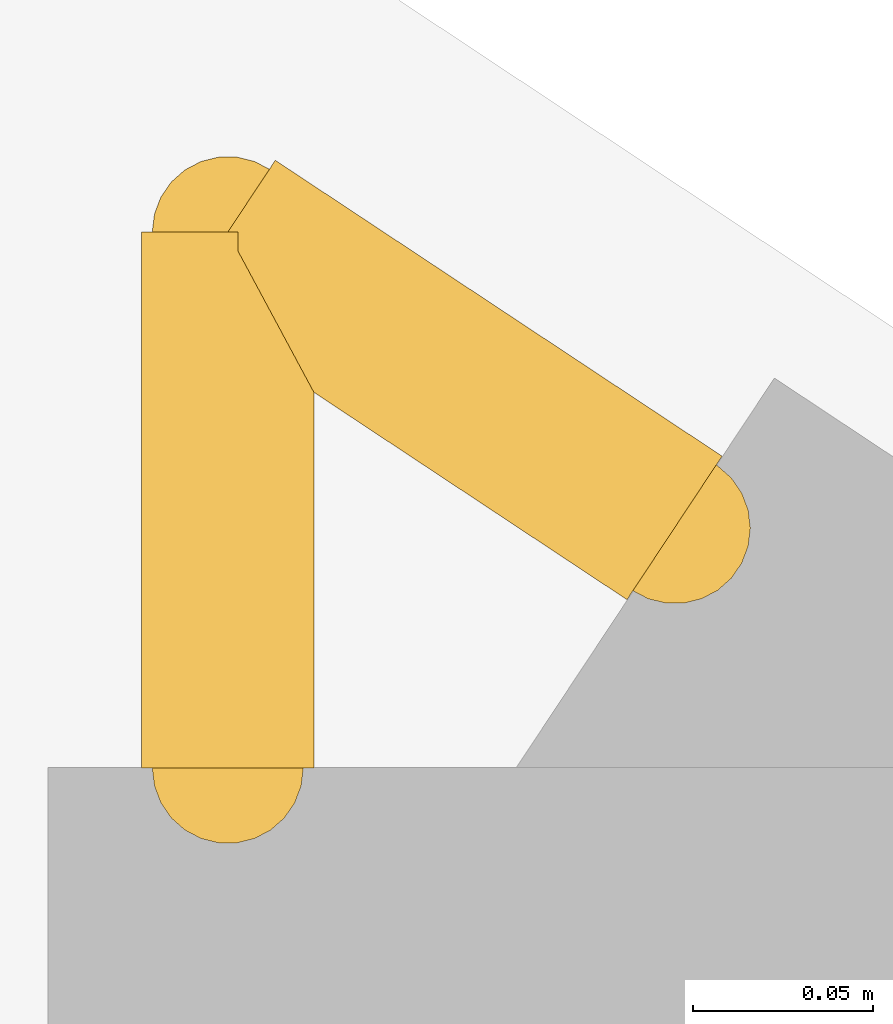
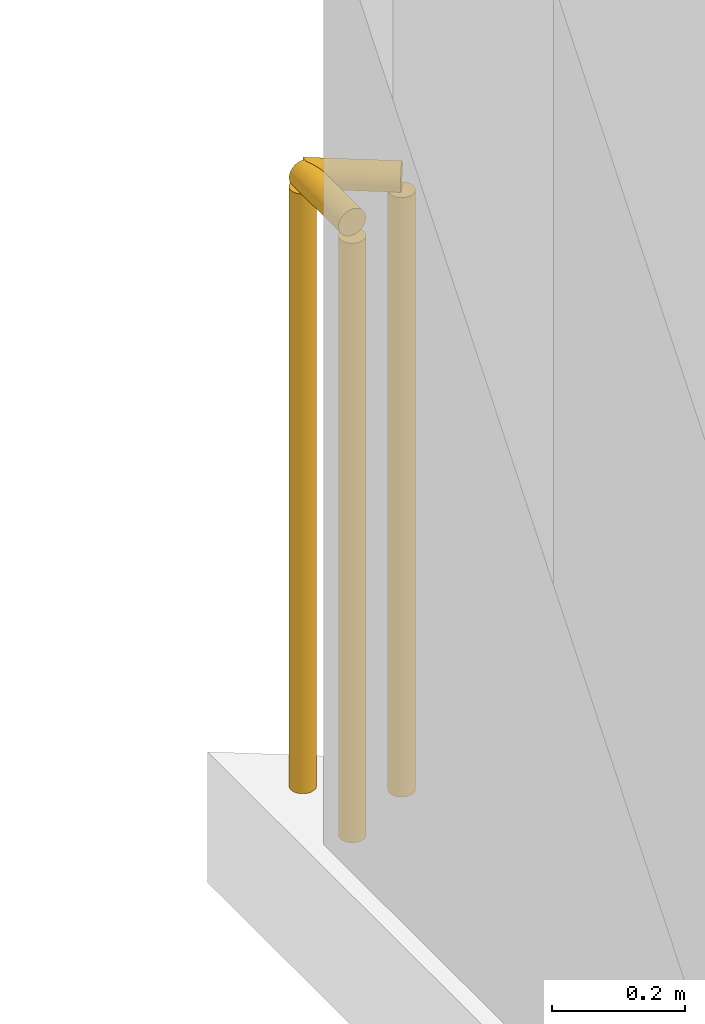
# One storey, part 17 of 18: 2 railings.
"""IFC4 building model written with IfcOpenShell, lengths in metres."""

import ifcopenshell
import ifcopenshell.guid

model = None  # the IFC model being written
_history = None  # IfcOwnerHistory: only IFC2X3 demands one
_inside = {}  # id of a spatial element -> (the spatial element, [elements in it])
_under = {}  # id of a project, library or spatial element -> (it, [spatial elements below it])
_declared = {}  # id of a project -> (the project, [libraries it declares])
_typed = {}  # id of a type object -> (the type object, [elements of that type])
_made_of = {}  # id of a material, layer set ... -> (it, [elements and type objects made of it])


def new_model(schema):
    """Start an empty IFC model of exactly this schema.

    Asked for "IFC4X3", IfcOpenShell would pick the latest addendum, in which some entities
    have other attributes; the version numbers below select the first issue.
    IFC2X3 requires an IfcOwnerHistory on every rooted entity: one is made here for all.
    """
    global model, _history
    if schema == "IFC4X3":
        model = ifcopenshell.file(schema_version=(4, 3, 0, 0))
    else:
        model = ifcopenshell.file(schema=schema)
    _inside.clear()
    _under.clear()
    _declared.clear()
    _typed.clear()
    _made_of.clear()
    _history = None
    if model.schema == "IFC2X3":
        org = make("IfcOrganization", Name="unknown")
        user = make(
            "IfcPersonAndOrganization",
            ThePerson=make("IfcPerson", FamilyName="unknown"),
            TheOrganization=org,
        )
        app = make(
            "IfcApplication",
            ApplicationDeveloper=org,
            Version="unknown",
            ApplicationFullName="unknown",
            ApplicationIdentifier="unknown",
        )
        _history = make(
            "IfcOwnerHistory",
            OwningUser=user,
            OwningApplication=app,
            ChangeAction="ADDED",
            CreationDate=0,
        )
    return model


def make(cls, **values):
    """One entity of the class cls with the attributes given. An attribute that is None is left unset."""
    return model.create_entity(
        cls, **{name: value for name, value in values.items() if value is not None}
    )


def rooted(cls, **values):
    """An entity with a GlobalId (a new one), such as an element, a storey or a relation."""
    return make(cls, GlobalId=ifcopenshell.guid.new(), OwnerHistory=_history, **values)


def si_unit(unit_type, name, prefix=None):
    """IfcSIUnit, for example si_unit("LENGTHUNIT", "METRE", prefix="MILLI")."""
    return make("IfcSIUnit", UnitType=unit_type, Prefix=prefix, Name=name)


def assignment(units):
    """IfcUnitAssignment: the units of a project."""
    return None if units is None else make("IfcUnitAssignment", Units=units)


def point(xyz):
    """IfcCartesianPoint."""
    return None if xyz is None else make("IfcCartesianPoint", Coordinates=xyz)


def direction(xyz):
    """IfcDirection."""
    return None if xyz is None else make("IfcDirection", DirectionRatios=xyz)


def frame(location, z_axis=None, x_axis=None):
    """IfcAxis2Placement3D, a coordinate frame: its origin and axes. An axis left out is left unset."""
    return make(
        "IfcAxis2Placement3D",
        Location=point(location),
        Axis=direction(z_axis),
        RefDirection=direction(x_axis),
    )


def frame_2d(location, x_axis=None):
    """IfcAxis2Placement2D, a coordinate frame in the plane: its origin and x axis."""
    return make(
        "IfcAxis2Placement2D", Location=point(location), RefDirection=direction(x_axis)
    )


def origin():
    """The frame at (0, 0, 0) with its axes left unset."""
    return frame((0.0, 0.0, 0.0))


def origin_2d():
    """The frame at (0, 0) in the plane with its x axis left unset."""
    return frame_2d((0.0, 0.0))


def place(relative_to, where):
    """IfcLocalPlacement: puts the frame where relative to a parent placement (None: the world)."""
    return make(
        "IfcLocalPlacement", PlacementRelTo=relative_to, RelativePlacement=where
    )


def context(
    kind, dimensions, precision=None, world=None, true_north=None, identifier=None
):
    """IfcGeometricRepresentationContext, for example the 3D "Model" context."""
    return make(
        "IfcGeometricRepresentationContext",
        ContextIdentifier=identifier,
        ContextType=kind,
        CoordinateSpaceDimension=dimensions,
        Precision=precision,
        WorldCoordinateSystem=world,
        TrueNorth=true_north,
    )


def subcontext(parent, identifier, kind, view, scale=None):
    """IfcGeometricRepresentationSubContext, for example "Body" below "Model"."""
    return make(
        "IfcGeometricRepresentationSubContext",
        ContextIdentifier=identifier,
        ContextType=kind,
        ParentContext=parent,
        TargetScale=scale,
        TargetView=view,
    )


def project(units=None, contexts=None):
    """IfcProject with its units and contexts."""
    return rooted(
        "IfcProject",
        Name="project",
        RepresentationContexts=contexts,
        UnitsInContext=assignment(units),
    )


def spatial(cls, under=None, at=None, **own):
    """A site, building, storey or space (cls), placed at a placement, below another one or the project."""
    s = rooted(cls, ObjectPlacement=at, **own)
    if under is not None:
        _under.setdefault(under.id(), (under, []))[1].append(s)
    return s


def profile(cls, at=None, kind="AREA", **sizes):
    """A parametric profile (cls). Its sizes go by their IFC names, for example OverallWidth=200.0."""
    return make(cls, ProfileType=kind, Position=at, **sizes)


def circle(**sizes):
    """IfcCircleProfileDef."""
    return profile("IfcCircleProfileDef", **sizes)


def extrude(swept, where, along, depth):
    """IfcExtrudedAreaSolid: the profile swept, set in the frame where, extruded along a direction by depth."""
    return make(
        "IfcExtrudedAreaSolid",
        SweptArea=swept,
        Position=where,
        ExtrudedDirection=direction(along),
        Depth=depth,
    )


def shape(context_of_items, identifier, shape_type, items):
    """IfcShapeRepresentation: the items that make up one representation, for example the "Body"."""
    return make(
        "IfcShapeRepresentation",
        ContextOfItems=context_of_items,
        RepresentationIdentifier=identifier,
        RepresentationType=shape_type,
        Items=items,
    )


def material(Name=None, Category=None):
    """IfcMaterial."""
    return make("IfcMaterial", Name=Name, Category=Category)


def made_of(thing, what):
    """Note that an element or type object is made of a material, layer set ...; save() writes the relation."""
    if what is not None:
        _made_of.setdefault(what.id(), (what, []))[1].append(thing)
    return thing


def type_object(cls, material=None, **own):
    """A type object (cls), such as IfcWallType, which elements share."""
    return made_of(rooted(cls, **own), material)


def element(
    cls,
    number,
    at=None,
    inside=None,
    cuts=None,
    type_object=None,
    material=None,
    context=None,
    identifier="Body",
    shape_type=None,
    held_by="IfcProductDefinitionShape",
    body=None,
    shapes=None,
    **own,
):
    """One element of the class cls, such as IfcWall. Its Tag is "e" and its number.

    at: its placement. inside: the storey or other place that contains it. cuts: it is an
    opening in that element (IfcRelVoidsElement). A single representation is given by context,
    identifier, shape_type and body (its items); several are given by shapes. held_by: the class
    of the entity that holds the representations. save() writes the other relations.
    """
    e = rooted(cls, Tag="e%d" % number, ObjectPlacement=at, **own)
    if body is not None:
        shapes = [shape(context, identifier, shape_type, body)]
    if shapes is not None:
        e.Representation = make(held_by, Representations=shapes)
    if inside is not None:
        _inside.setdefault(inside.id(), (inside, []))[1].append(e)
    if cuts is not None:
        rooted(
            "IfcRelVoidsElement", RelatingBuildingElement=cuts, RelatedOpeningElement=e
        )
    if type_object is not None:
        _typed.setdefault(type_object.id(), (type_object, []))[1].append(e)
    return made_of(e, material)


def aggregate(whole, parts):
    """IfcRelAggregates: a whole, such as a stair, and the parts it consists of."""
    return rooted("IfcRelAggregates", RelatingObject=whole, RelatedObjects=parts)


def save(model, path):
    """Write the relations noted so far, then the file.

    IfcRelAggregates (storeys below a building ...), IfcRelContainedInSpatialStructure (elements
    in a storey), IfcRelDefinesByType, IfcRelAssociatesMaterial and IfcRelDeclares: one each for
    every whole, place, type object, material and project.
    """
    for whole, parts in _under.values():
        aggregate(whole, parts)
    for where, things in _inside.values():
        rooted(
            "IfcRelContainedInSpatialStructure",
            RelatedElements=things,
            RelatingStructure=where,
        )
    for kind, things in _typed.values():
        rooted("IfcRelDefinesByType", RelatedObjects=things, RelatingType=kind)
    for what, things in _made_of.values():
        rooted("IfcRelAssociatesMaterial", RelatedObjects=things, RelatingMaterial=what)
    for by, libraries in _declared.values():
        rooted("IfcRelDeclares", RelatingContext=by, RelatedDefinitions=libraries)
    model.write(path)


model = new_model("IFC4")

# Units and contexts
model_context = context("Model", 3, precision=1e-05, world=origin(), true_north=direction((0.0, 1.0)))
body_context = subcontext(model_context, "Body", "Model", "MODEL_VIEW")
ifc_project = project(units=[si_unit("LENGTHUNIT", "METRE"), si_unit("AREAUNIT", "SQUARE_METRE"), si_unit("VOLUMEUNIT", "CUBIC_METRE"), si_unit("PLANEANGLEUNIT", "RADIAN"), si_unit("MASSUNIT", "GRAM", prefix="KILO")], contexts=[model_context])

# Site, building, storey
site_placement = place(None, origin())
site = spatial("IfcSite", under=ifc_project, at=site_placement, CompositionType="ELEMENT")
building_placement = place(site_placement, origin())
building = spatial("IfcBuilding", under=site, at=building_placement, Name="Varnakote Quay Hospital", CompositionType="ELEMENT")
storey_placement = place(building_placement, frame((0.0, 0.0, 150.75)))
storey = spatial("IfcBuildingStorey", under=building, at=storey_placement, Name="L37", CompositionType="ELEMENT", Elevation=150.75)

# Railings
ifc_material = material(Name="Anodised aluminium 6063-T6 Bronze", Category="aluminium")
railing_type = type_object("IfcRailingType", Name="RLG-EXT-GUARD-1150", PredefinedType="GUARDRAIL", material=ifc_material)
railing_1_placement = place(storey_placement, frame((2.679931640625, 43.10205078125, 0.0)))
element("IfcRailing", 1, at=railing_1_placement, inside=storey, type_object=railing_type, Name="L37 Slab Edge Perimeter Safety Guard", PredefinedType="GUARDRAIL", context=body_context, shape_type="SweptSolid", body=[
    extrude(circle(Radius=0.02392578125, at=origin_2d()), frame((0.0, 0.0, 1.1259765625), z_axis=(0.0, 1.0, 0.0), x_axis=(-1.0, 0.0, 0.0)), (0.0, 0.0, 1.0), 0.14892578125),
    extrude(circle(Radius=0.02099609375, at=origin_2d()), origin(), (0.0, 0.0, 1.0), 1.101806640625),
    extrude(circle(Radius=0.02099609375, at=origin_2d()), frame((0.0, 0.14892578125, 0.0)), (0.0, 0.0, 1.0), 1.101806640625),
])
railing_2_placement = place(storey_placement, frame((2.679931640625, 43.2509765625, 0.0)))
element("IfcRailing", 2, at=railing_2_placement, inside=storey, type_object=railing_type, Name="L37 Slab Edge Perimeter Safety Guard", PredefinedType="GUARDRAIL", context=body_context, shape_type="SweptSolid", body=[
    extrude(circle(Radius=0.02392578125, at=origin_2d()), frame((0.0, 0.0, 1.1259765625), z_axis=(0.833810230731, -0.552051174374, 0.0), x_axis=(0.552051174374, 0.833810230731, 0.0)), (0.0, 0.0, 1.0), 0.14892578125),
    extrude(circle(Radius=0.02099609375, at=origin_2d()), origin(), (0.0, 0.0, 1.0), 1.101806640625),
    extrude(circle(Radius=0.02099609375, at=origin_2d()), frame((0.124267578125, -0.082275390625, 0.0)), (0.0, 0.0, 1.0), 1.101806640625),
])

save(model, "model.ifc")
